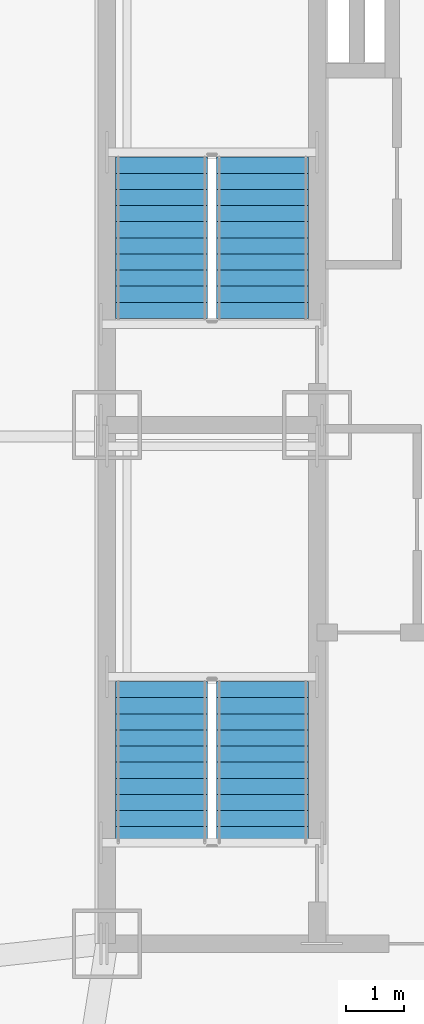
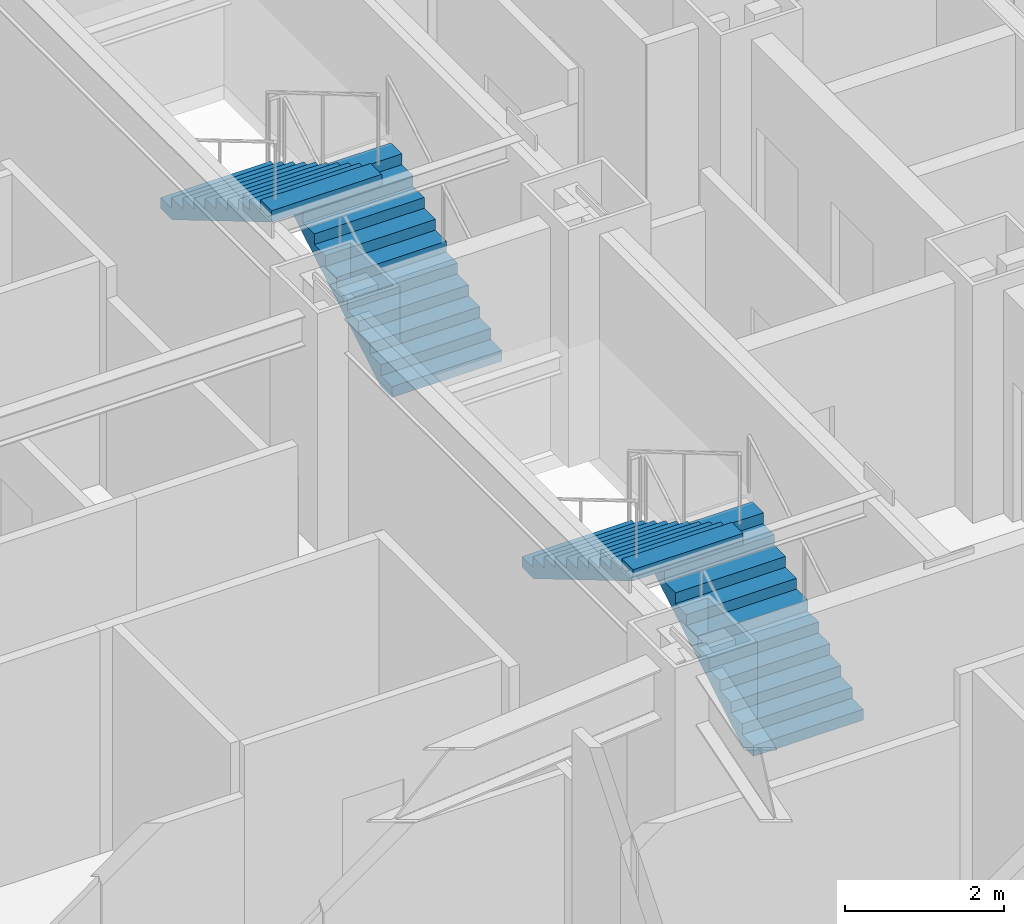
# One storey, part 13 of 15: 4 stair flights, 2 elements without a shape of their own.
"""IFC4 building model written with IfcOpenShell, lengths in metres."""

import ifcopenshell
import ifcopenshell.guid

model = None  # the IFC model being written
_history = None  # IfcOwnerHistory: only IFC2X3 demands one
_inside = {}  # id of a spatial element -> (the spatial element, [elements in it])
_under = {}  # id of a project, library or spatial element -> (it, [spatial elements below it])
_declared = {}  # id of a project -> (the project, [libraries it declares])
_typed = {}  # id of a type object -> (the type object, [elements of that type])
_made_of = {}  # id of a material, layer set ... -> (it, [elements and type objects made of it])


def new_model(schema):
    """Start an empty IFC model of exactly this schema.

    Asked for "IFC4X3", IfcOpenShell would pick the latest addendum, in which some entities
    have other attributes; the version numbers below select the first issue.
    IFC2X3 requires an IfcOwnerHistory on every rooted entity: one is made here for all.
    """
    global model, _history
    if schema == "IFC4X3":
        model = ifcopenshell.file(schema_version=(4, 3, 0, 0))
    else:
        model = ifcopenshell.file(schema=schema)
    _inside.clear()
    _under.clear()
    _declared.clear()
    _typed.clear()
    _made_of.clear()
    _history = None
    if model.schema == "IFC2X3":
        org = make("IfcOrganization", Name="unknown")
        user = make(
            "IfcPersonAndOrganization",
            ThePerson=make("IfcPerson", FamilyName="unknown"),
            TheOrganization=org,
        )
        app = make(
            "IfcApplication",
            ApplicationDeveloper=org,
            Version="unknown",
            ApplicationFullName="unknown",
            ApplicationIdentifier="unknown",
        )
        _history = make(
            "IfcOwnerHistory",
            OwningUser=user,
            OwningApplication=app,
            ChangeAction="ADDED",
            CreationDate=0,
        )
    return model


def make(cls, **values):
    """One entity of the class cls with the attributes given. An attribute that is None is left unset."""
    return model.create_entity(
        cls, **{name: value for name, value in values.items() if value is not None}
    )


def rooted(cls, **values):
    """An entity with a GlobalId (a new one), such as an element, a storey or a relation."""
    return make(cls, GlobalId=ifcopenshell.guid.new(), OwnerHistory=_history, **values)


def si_unit(unit_type, name, prefix=None):
    """IfcSIUnit, for example si_unit("LENGTHUNIT", "METRE", prefix="MILLI")."""
    return make("IfcSIUnit", UnitType=unit_type, Prefix=prefix, Name=name)


def assignment(units):
    """IfcUnitAssignment: the units of a project."""
    return None if units is None else make("IfcUnitAssignment", Units=units)


def point(xyz):
    """IfcCartesianPoint."""
    return None if xyz is None else make("IfcCartesianPoint", Coordinates=xyz)


def direction(xyz):
    """IfcDirection."""
    return None if xyz is None else make("IfcDirection", DirectionRatios=xyz)


def frame(location, z_axis=None, x_axis=None):
    """IfcAxis2Placement3D, a coordinate frame: its origin and axes. An axis left out is left unset."""
    return make(
        "IfcAxis2Placement3D",
        Location=point(location),
        Axis=direction(z_axis),
        RefDirection=direction(x_axis),
    )


def origin():
    """The frame at (0, 0, 0) with its axes left unset."""
    return frame((0.0, 0.0, 0.0))


def place(relative_to, where):
    """IfcLocalPlacement: puts the frame where relative to a parent placement (None: the world)."""
    return make(
        "IfcLocalPlacement", PlacementRelTo=relative_to, RelativePlacement=where
    )


def context(
    kind, dimensions, precision=None, world=None, true_north=None, identifier=None
):
    """IfcGeometricRepresentationContext, for example the 3D "Model" context."""
    return make(
        "IfcGeometricRepresentationContext",
        ContextIdentifier=identifier,
        ContextType=kind,
        CoordinateSpaceDimension=dimensions,
        Precision=precision,
        WorldCoordinateSystem=world,
        TrueNorth=true_north,
    )


def subcontext(parent, identifier, kind, view, scale=None):
    """IfcGeometricRepresentationSubContext, for example "Body" below "Model"."""
    return make(
        "IfcGeometricRepresentationSubContext",
        ContextIdentifier=identifier,
        ContextType=kind,
        ParentContext=parent,
        TargetScale=scale,
        TargetView=view,
    )


def project(units=None, contexts=None):
    """IfcProject with its units and contexts."""
    return rooted(
        "IfcProject",
        Name="project",
        RepresentationContexts=contexts,
        UnitsInContext=assignment(units),
    )


def spatial(cls, under=None, at=None, **own):
    """A site, building, storey or space (cls), placed at a placement, below another one or the project."""
    s = rooted(cls, ObjectPlacement=at, **own)
    if under is not None:
        _under.setdefault(under.id(), (under, []))[1].append(s)
    return s


def polyline(points):
    """IfcPolyline through the points."""
    return make("IfcPolyline", Points=[point(p) for p in points])


def outline(outer, holes=None, kind="AREA"):
    """IfcArbitraryClosedProfileDef: a profile drawn as a closed curve; with holes, ...WithVoids."""
    if holes is None:
        return make("IfcArbitraryClosedProfileDef", ProfileType=kind, OuterCurve=outer)
    return make(
        "IfcArbitraryProfileDefWithVoids",
        ProfileType=kind,
        OuterCurve=outer,
        InnerCurves=holes,
    )


def extrude(swept, where, along, depth):
    """IfcExtrudedAreaSolid: the profile swept, set in the frame where, extruded along a direction by depth."""
    return make(
        "IfcExtrudedAreaSolid",
        SweptArea=swept,
        Position=where,
        ExtrudedDirection=direction(along),
        Depth=depth,
    )


def shape(context_of_items, identifier, shape_type, items):
    """IfcShapeRepresentation: the items that make up one representation, for example the "Body"."""
    return make(
        "IfcShapeRepresentation",
        ContextOfItems=context_of_items,
        RepresentationIdentifier=identifier,
        RepresentationType=shape_type,
        Items=items,
    )


def material(Name=None, Category=None):
    """IfcMaterial."""
    return make("IfcMaterial", Name=Name, Category=Category)


def made_of(thing, what):
    """Note that an element or type object is made of a material, layer set ...; save() writes the relation."""
    if what is not None:
        _made_of.setdefault(what.id(), (what, []))[1].append(thing)
    return thing


def type_object(cls, material=None, **own):
    """A type object (cls), such as IfcWallType, which elements share."""
    return made_of(rooted(cls, **own), material)


def element(
    cls,
    number,
    at=None,
    inside=None,
    cuts=None,
    type_object=None,
    material=None,
    context=None,
    identifier="Body",
    shape_type=None,
    held_by="IfcProductDefinitionShape",
    body=None,
    shapes=None,
    **own,
):
    """One element of the class cls, such as IfcWall. Its Tag is "e" and its number.

    at: its placement. inside: the storey or other place that contains it. cuts: it is an
    opening in that element (IfcRelVoidsElement). A single representation is given by context,
    identifier, shape_type and body (its items); several are given by shapes. held_by: the class
    of the entity that holds the representations. save() writes the other relations.
    """
    e = rooted(cls, Tag="e%d" % number, ObjectPlacement=at, **own)
    if body is not None:
        shapes = [shape(context, identifier, shape_type, body)]
    if shapes is not None:
        e.Representation = make(held_by, Representations=shapes)
    if inside is not None:
        _inside.setdefault(inside.id(), (inside, []))[1].append(e)
    if cuts is not None:
        rooted(
            "IfcRelVoidsElement", RelatingBuildingElement=cuts, RelatedOpeningElement=e
        )
    if type_object is not None:
        _typed.setdefault(type_object.id(), (type_object, []))[1].append(e)
    return made_of(e, material)


def aggregate(whole, parts):
    """IfcRelAggregates: a whole, such as a stair, and the parts it consists of."""
    return rooted("IfcRelAggregates", RelatingObject=whole, RelatedObjects=parts)


def save(model, path):
    """Write the relations noted so far, then the file.

    IfcRelAggregates (storeys below a building ...), IfcRelContainedInSpatialStructure (elements
    in a storey), IfcRelDefinesByType, IfcRelAssociatesMaterial and IfcRelDeclares: one each for
    every whole, place, type object, material and project.
    """
    for whole, parts in _under.values():
        aggregate(whole, parts)
    for where, things in _inside.values():
        rooted(
            "IfcRelContainedInSpatialStructure",
            RelatedElements=things,
            RelatingStructure=where,
        )
    for kind, things in _typed.values():
        rooted("IfcRelDefinesByType", RelatedObjects=things, RelatingType=kind)
    for what, things in _made_of.values():
        rooted("IfcRelAssociatesMaterial", RelatedObjects=things, RelatingMaterial=what)
    for by, libraries in _declared.values():
        rooted("IfcRelDeclares", RelatingContext=by, RelatedDefinitions=libraries)
    model.write(path)


model = new_model("IFC4")

# Units and contexts
model_context = context("Model", 3, precision=1e-05, world=origin(), true_north=direction((0.0, 1.0)))
body_context = subcontext(model_context, "Body", "Model", "MODEL_VIEW")
ifc_project = project(units=[si_unit("LENGTHUNIT", "METRE"), si_unit("AREAUNIT", "SQUARE_METRE"), si_unit("VOLUMEUNIT", "CUBIC_METRE"), si_unit("PLANEANGLEUNIT", "RADIAN"), si_unit("MASSUNIT", "GRAM", prefix="KILO")], contexts=[model_context])

# Site, building, storey
site_placement = place(None, origin())
site = spatial("IfcSite", under=ifc_project, at=site_placement, CompositionType="ELEMENT")
building_placement = place(site_placement, origin())
building = spatial("IfcBuilding", under=site, at=building_placement, Name="Khamvora Tower", CompositionType="ELEMENT")
storey_placement = place(building_placement, frame((0.0, 0.0, 112.85009765625)))
storey = spatial("IfcBuildingStorey", under=building, at=storey_placement, Name="L28", CompositionType="ELEMENT", Elevation=112.85009765625)

# Stair, stair flights
ifc_material = material(Name="Concrete C40/50", Category="concrete")
stair_type_1 = type_object("IfcStairType", Name="STR-ST-01", PredefinedType="HALF_TURN_STAIR", material=ifc_material)
stair_1_placement = place(storey_placement, origin())
stair_1 = element("IfcStair", 1, at=stair_1_placement, inside=storey, type_object=stair_type_1, Name="L28 South Tower Exit Stair ST-01", PredefinedType="HALF_TURN_STAIR")
stair_flight_type_1 = type_object("IfcStairFlightType", Name="STF-ST-01", PredefinedType="STRAIGHT", material=ifc_material)
stair_flight_1_placement = place(storey_placement, frame((31.699951171875, 20.75, 0.0), z_axis=(0.0, 0.0, 1.0), x_axis=(0.0, 1.0, 0.0)))
stair_flight_1 = element("IfcStairFlight", 2, at=stair_flight_1_placement, type_object=stair_flight_type_1, Name="ST-01 flight 1", NumberOfRisers=11, NumberOfTreads=10, PredefinedType="STRAIGHT", RiserHeight=0.165909091, TreadLength=0.28, context=body_context, shape_type="SweptSolid", body=[
    extrude(outline(polyline([(0.0, 0.0), (0.0, 0.166015625), (0.280029296875, 0.166015625), (0.280029296875, 0.331787109375), (0.56005859375, 0.331787109375), (0.56005859375, 0.497802734375), (0.840087890625, 0.497802734375), (0.840087890625, 0.66357421875), (1.1201171875, 0.66357421875), (1.1201171875, 0.82958984375), (1.39990234375, 0.82958984375), (1.39990234375, 0.995361328125), (1.679931640625, 0.995361328125), (1.679931640625, 1.161376953125), (1.9599609375, 1.161376953125), (1.9599609375, 1.327392578125), (2.239990234375, 1.327392578125), (2.239990234375, 1.4931640625), (2.52001953125, 1.4931640625), (2.52001953125, 1.6591796875), (2.800048828125, 1.6591796875), (2.800048828125, 1.824951171875), (2.800048828125, 1.48486328125), (0.2939453125, 0.0), (0.0, 0.0)])), frame((0.0, 0.800048828125, 0.0), z_axis=(0.0, -1.0, 0.0), x_axis=(1.0, 0.0, 0.0)), (0.0, 0.0, 1.0), 1.60009765625),
])
stair_flight_2_placement = place(storey_placement, frame((29.949951171875, 23.550048828125, 1.824951171875), z_axis=(0.0, 0.0, 1.0), x_axis=(0.0, -1.0, 0.0)))
stair_flight_2 = element("IfcStairFlight", 3, at=stair_flight_2_placement, type_object=stair_flight_type_1, Name="ST-01 flight 2", NumberOfRisers=11, NumberOfTreads=10, PredefinedType="STRAIGHT", RiserHeight=0.165909091, TreadLength=0.28, context=body_context, shape_type="SweptSolid", body=[
    extrude(outline(polyline([(0.0, 0.0), (0.0, 0.166015625), (0.280029296875, 0.166015625), (0.280029296875, 0.331787109375), (0.56005859375, 0.331787109375), (0.56005859375, 0.497802734375), (0.840087890625, 0.497802734375), (0.840087890625, 0.66357421875), (1.1201171875, 0.66357421875), (1.1201171875, 0.82958984375), (1.39990234375, 0.82958984375), (1.39990234375, 0.995361328125), (1.679931640625, 0.995361328125), (1.679931640625, 1.161376953125), (1.9599609375, 1.161376953125), (1.9599609375, 1.327392578125), (2.239990234375, 1.327392578125), (2.239990234375, 1.4931640625), (2.52001953125, 1.4931640625), (2.52001953125, 1.6591796875), (2.800048828125, 1.6591796875), (2.800048828125, 1.824951171875), (2.800048828125, 1.48486328125), (0.2939453125, 0.0), (0.0, 0.0)])), frame((0.0, 0.800048828125, 0.0), z_axis=(0.0, -1.0, 0.0), x_axis=(1.0, 0.0, 0.0)), (0.0, 0.0, 1.0), 1.60009765625),
])
aggregate(stair_1, [stair_flight_1, stair_flight_2])

stair_type_2 = type_object("IfcStairType", Name="STR-ST-02", PredefinedType="HALF_TURN_STAIR", material=ifc_material)
stair_2_placement = place(storey_placement, origin())
stair_2 = element("IfcStair", 4, at=stair_2_placement, inside=storey, type_object=stair_type_2, Name="L28 North Tower Exit Stair ST-02", PredefinedType="HALF_TURN_STAIR")
stair_flight_type_2 = type_object("IfcStairFlightType", Name="STF-ST-02", PredefinedType="STRAIGHT", material=ifc_material)
stair_flight_3_placement = place(storey_placement, frame((31.699951171875, 29.85009765625, 0.0), z_axis=(0.0, 0.0, 1.0), x_axis=(0.0, 1.0, 0.0)))
stair_flight_3 = element("IfcStairFlight", 5, at=stair_flight_3_placement, type_object=stair_flight_type_2, Name="ST-02 flight 1", NumberOfRisers=11, NumberOfTreads=10, PredefinedType="STRAIGHT", RiserHeight=0.165909091, TreadLength=0.28, context=body_context, shape_type="SweptSolid", body=[
    extrude(outline(polyline([(0.0, 0.0), (0.0, 0.166015625), (0.280029296875, 0.166015625), (0.280029296875, 0.331787109375), (0.56005859375, 0.331787109375), (0.56005859375, 0.497802734375), (0.840087890625, 0.497802734375), (0.840087890625, 0.66357421875), (1.1201171875, 0.66357421875), (1.1201171875, 0.82958984375), (1.39990234375, 0.82958984375), (1.39990234375, 0.995361328125), (1.679931640625, 0.995361328125), (1.679931640625, 1.161376953125), (1.9599609375, 1.161376953125), (1.9599609375, 1.327392578125), (2.239990234375, 1.327392578125), (2.239990234375, 1.4931640625), (2.52001953125, 1.4931640625), (2.52001953125, 1.6591796875), (2.800048828125, 1.6591796875), (2.800048828125, 1.824951171875), (2.800048828125, 1.48486328125), (0.2939453125, 0.0), (0.0, 0.0)])), frame((0.0, 0.800048828125, 0.0), z_axis=(0.0, -1.0, 0.0), x_axis=(1.0, 0.0, 0.0)), (0.0, 0.0, 1.0), 1.60009765625),
])
stair_flight_4_placement = place(storey_placement, frame((29.949951171875, 32.64990234375, 1.824951171875), z_axis=(0.0, 0.0, 1.0), x_axis=(0.0, -1.0, 0.0)))
stair_flight_4 = element("IfcStairFlight", 6, at=stair_flight_4_placement, type_object=stair_flight_type_2, Name="ST-02 flight 2", NumberOfRisers=11, NumberOfTreads=10, PredefinedType="STRAIGHT", RiserHeight=0.165909091, TreadLength=0.28, context=body_context, shape_type="SweptSolid", body=[
    extrude(outline(polyline([(0.0, 0.0), (0.0, 0.166015625), (0.280029296875, 0.166015625), (0.280029296875, 0.331787109375), (0.56005859375, 0.331787109375), (0.56005859375, 0.497802734375), (0.840087890625, 0.497802734375), (0.840087890625, 0.66357421875), (1.1201171875, 0.66357421875), (1.1201171875, 0.82958984375), (1.39990234375, 0.82958984375), (1.39990234375, 0.995361328125), (1.679931640625, 0.995361328125), (1.679931640625, 1.161376953125), (1.9599609375, 1.161376953125), (1.9599609375, 1.327392578125), (2.239990234375, 1.327392578125), (2.239990234375, 1.4931640625), (2.52001953125, 1.4931640625), (2.52001953125, 1.6591796875), (2.800048828125, 1.6591796875), (2.800048828125, 1.824951171875), (2.800048828125, 1.48486328125), (0.2939453125, 0.0), (0.0, 0.0)])), frame((0.0, 0.800048828125, 0.0), z_axis=(0.0, -1.0, 0.0), x_axis=(1.0, 0.0, 0.0)), (0.0, 0.0, 1.0), 1.60009765625),
])
aggregate(stair_2, [stair_flight_3, stair_flight_4])

save(model, "model.ifc")
